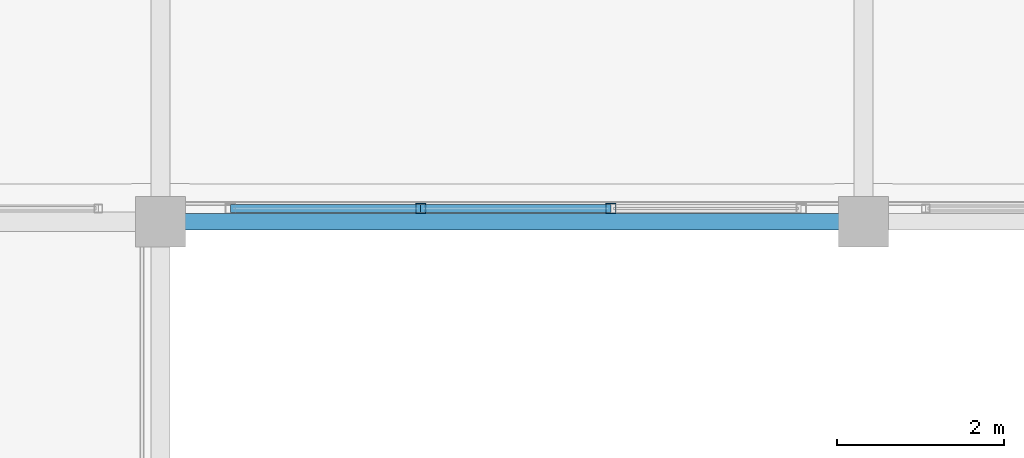
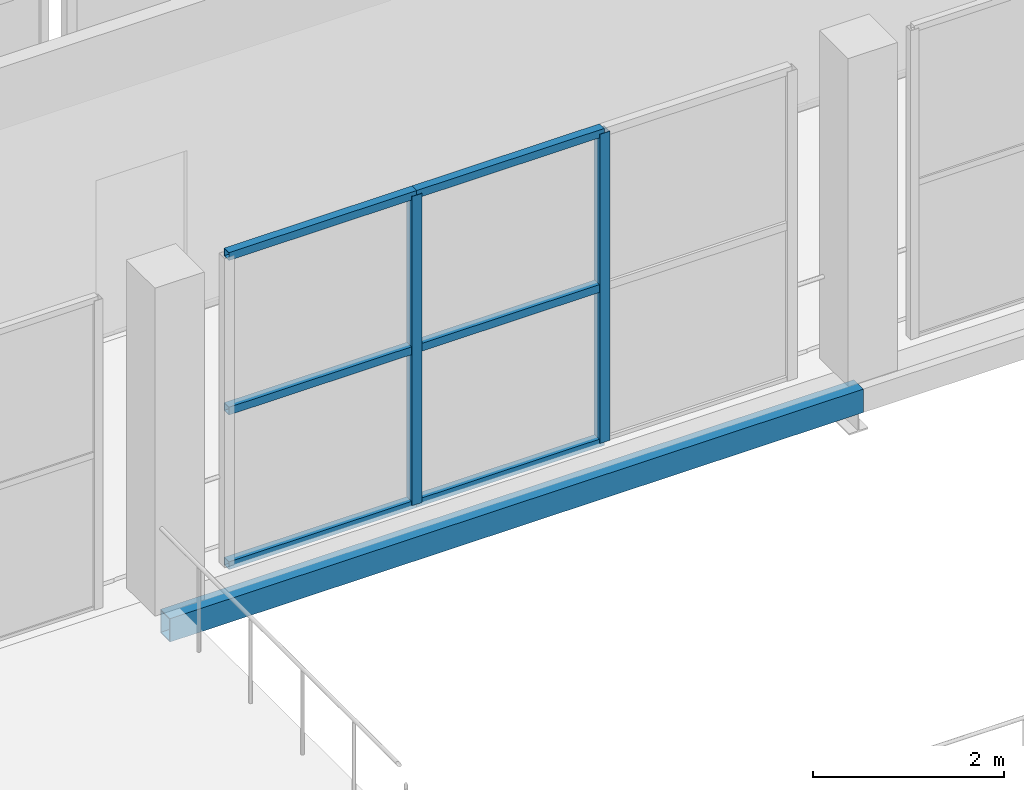
# One storey, part 32 of 151: 8 members, 1 beam, 1 element without a shape of its own.
"""IFC4 building model written with IfcOpenShell, lengths in metres."""

from ifc_helpers import new_model, si_unit, direction, frame, origin, origin_2d, place, context, subcontext, project, spatial, hollow_rectangle, extrude, material, material_profile, profile_set, type_object, element, aggregate, save


model = new_model("IFC4")

# Units and contexts
model_context = context("Model", 3, precision=1e-05, world=origin(), true_north=direction((0.0, 1.0)))
body_context = subcontext(model_context, "Body", "Model", "MODEL_VIEW")
ifc_project = project(units=[si_unit("LENGTHUNIT", "METRE"), si_unit("AREAUNIT", "SQUARE_METRE"), si_unit("VOLUMEUNIT", "CUBIC_METRE"), si_unit("PLANEANGLEUNIT", "RADIAN"), si_unit("MASSUNIT", "GRAM", prefix="KILO")], contexts=[model_context])

# Site, building, storey
site_placement = place(None, origin())
site = spatial("IfcSite", under=ifc_project, at=site_placement, CompositionType="ELEMENT")
building_placement = place(site_placement, origin())
building = spatial("IfcBuilding", under=site, at=building_placement, Name="Zuvorla Pavilion Media Centre", CompositionType="ELEMENT")
storey_placement = place(building_placement, frame((0.0, 0.0, 13.800048828125)))
storey = spatial("IfcBuildingStorey", under=building, at=storey_placement, Name="L03", CompositionType="ELEMENT", Elevation=13.800048828125)

# Beam
ifc_material_1 = material(Name="Steel S355", Category="steel")
ifc_material_profile_1 = material_profile(ifc_material_1, hollow_rectangle(XDim=0.199951171875, YDim=0.300048828125, WallThickness=0.012451171875, at=origin_2d()), Name="RHS 300x200x12.5")
ifc_profile_set_1 = profile_set([ifc_material_profile_1], Name="Steel S355")
beam_type = type_object("IfcBeamType", Name="BM-SP-RHS300", PredefinedType="SPANDREL", material=ifc_profile_set_1)
beam_placement = place(storey_placement, frame((66.800048828125, 44.0, -0.407958984375), z_axis=(1.0, 0.0, 0.0), x_axis=(0.0, 1.0, 0.0)))
element("IfcBeam", 1, at=beam_placement, inside=storey, type_object=beam_type, Name="L03 spandrel SP01 1080", PredefinedType="SPANDREL", context=body_context, shape_type="SweptSolid", body=[
    extrude(hollow_rectangle(XDim=0.199951171875, YDim=0.300048828125, WallThickness=0.012451171875, at=origin_2d()), origin(), (0.0, 0.0, 1.0), 8.39990234375),
])

# Curtain wall, members
ifc_material_2 = material(Name="Unitised anodised aluminium and solar glass curtain wall", Category="aluminium")
curtain_wall_type = type_object("IfcCurtainWallType", Name="CW-SYS-69", PredefinedType="USERDEFINED", material=ifc_material_2)
curtain_wall_placement = place(storey_placement, origin())
curtain_wall = element("IfcCurtainWall", 2, at=curtain_wall_placement, inside=storey, type_object=curtain_wall_type, Name="L03 curtain wall CW69 137", ObjectType="CURTAIN WALL", PredefinedType="USERDEFINED")
ifc_material_3 = material(Name="Anodised aluminium 6063-T6", Category="aluminium")
ifc_material_profile_2 = material_profile(ifc_material_3, hollow_rectangle(XDim=0.1201171875, YDim=0.1201171875, WallThickness=0.0048828125, at=origin_2d()), Name="ALU MULL 120x120")
ifc_profile_set_2 = profile_set([ifc_material_profile_2], Name="Anodised aluminium 6063-T6")
member_type_1 = type_object("IfcMemberType", Name="CW-MULL-120", PredefinedType="MULLION", material=ifc_profile_set_2)
member_1_placement = place(storey_placement, frame((69.908447265625, 44.159912109375, 0.0), z_axis=(0.0, 0.0, 1.0), x_axis=(1.0, 0.0, 0.0)))
member_1 = element("IfcMember", 3, at=member_1_placement, type_object=member_type_1, Name="CW69 mullion 2", PredefinedType="MULLION", context=body_context, shape_type="SweptSolid", body=[
    extrude(hollow_rectangle(XDim=0.1201171875, YDim=0.1201171875, WallThickness=0.0048828125, at=origin_2d()), origin(), (0.0, 0.0, 1.0), 3.9599609375),
])
member_2_placement = place(storey_placement, frame((72.18212890625, 44.159912109375, 0.0), z_axis=(0.0, 0.0, 1.0), x_axis=(1.0, 0.0, 0.0)))
member_2 = element("IfcMember", 4, at=member_2_placement, type_object=member_type_1, Name="CW69 mullion 3", PredefinedType="MULLION", context=body_context, shape_type="SweptSolid", body=[
    extrude(hollow_rectangle(XDim=0.1201171875, YDim=0.1201171875, WallThickness=0.0048828125, at=origin_2d()), origin(), (0.0, 0.0, 1.0), 3.9599609375),
])
ifc_material_profile_3 = material_profile(ifc_material_3, hollow_rectangle(XDim=0.10009765625, YDim=0.10009765625, WallThickness=0.00439453125, at=origin_2d()), Name="ALU TRAN 100x100")
ifc_profile_set_3 = profile_set([ifc_material_profile_3], Name="Anodised aluminium 6063-T6")
member_type_2 = type_object("IfcMemberType", Name="CW-TRAN-100", PredefinedType="USERDEFINED", material=ifc_profile_set_3)
member_3_placement = place(storey_placement, frame((67.635009765625, 44.159912109375, 0.0), z_axis=(1.0, 0.0, 0.0), x_axis=(0.0, 1.0, 0.0)))
member_3 = element("IfcMember", 5, at=member_3_placement, type_object=member_type_2, Name="CW69 transom 1.1", ObjectType="TRANSOM", PredefinedType="USERDEFINED", context=body_context, shape_type="SweptSolid", body=[
    extrude(hollow_rectangle(XDim=0.10009765625, YDim=0.10009765625, WallThickness=0.00439453125, at=origin_2d()), origin(), (0.0, 0.0, 1.0), 2.2734375),
])
member_4_placement = place(storey_placement, frame((67.635009765625, 44.159912109375, 1.97998046875), z_axis=(1.0, 0.0, 0.0), x_axis=(0.0, 1.0, 0.0)))
member_4 = element("IfcMember", 6, at=member_4_placement, type_object=member_type_2, Name="CW69 transom 1.2", ObjectType="TRANSOM", PredefinedType="USERDEFINED", context=body_context, shape_type="SweptSolid", body=[
    extrude(hollow_rectangle(XDim=0.10009765625, YDim=0.10009765625, WallThickness=0.00439453125, at=origin_2d()), origin(), (0.0, 0.0, 1.0), 2.2734375),
])
member_5_placement = place(storey_placement, frame((67.635009765625, 44.159912109375, 3.9599609375), z_axis=(1.0, 0.0, 0.0), x_axis=(0.0, 1.0, 0.0)))
member_5 = element("IfcMember", 7, at=member_5_placement, type_object=member_type_2, Name="CW69 transom 1.3", ObjectType="TRANSOM", PredefinedType="USERDEFINED", context=body_context, shape_type="SweptSolid", body=[
    extrude(hollow_rectangle(XDim=0.10009765625, YDim=0.10009765625, WallThickness=0.00439453125, at=origin_2d()), origin(), (0.0, 0.0, 1.0), 2.2734375),
])
member_6_placement = place(storey_placement, frame((69.908447265625, 44.159912109375, 0.0), z_axis=(1.0, 0.0, 0.0), x_axis=(0.0, 1.0, 0.0)))
member_6 = element("IfcMember", 8, at=member_6_placement, type_object=member_type_2, Name="CW69 transom 2.1", ObjectType="TRANSOM", PredefinedType="USERDEFINED", context=body_context, shape_type="SweptSolid", body=[
    extrude(hollow_rectangle(XDim=0.10009765625, YDim=0.10009765625, WallThickness=0.00439453125, at=origin_2d()), origin(), (0.0, 0.0, 1.0), 2.273681640625),
])
member_7_placement = place(storey_placement, frame((69.908447265625, 44.159912109375, 1.97998046875), z_axis=(1.0, 0.0, 0.0), x_axis=(0.0, 1.0, 0.0)))
member_7 = element("IfcMember", 9, at=member_7_placement, type_object=member_type_2, Name="CW69 transom 2.2", ObjectType="TRANSOM", PredefinedType="USERDEFINED", context=body_context, shape_type="SweptSolid", body=[
    extrude(hollow_rectangle(XDim=0.10009765625, YDim=0.10009765625, WallThickness=0.00439453125, at=origin_2d()), origin(), (0.0, 0.0, 1.0), 2.273681640625),
])
member_8_placement = place(storey_placement, frame((69.908447265625, 44.159912109375, 3.9599609375), z_axis=(1.0, 0.0, 0.0), x_axis=(0.0, 1.0, 0.0)))
member_8 = element("IfcMember", 10, at=member_8_placement, type_object=member_type_2, Name="CW69 transom 2.3", ObjectType="TRANSOM", PredefinedType="USERDEFINED", context=body_context, shape_type="SweptSolid", body=[
    extrude(hollow_rectangle(XDim=0.10009765625, YDim=0.10009765625, WallThickness=0.00439453125, at=origin_2d()), origin(), (0.0, 0.0, 1.0), 2.273681640625),
])
aggregate(curtain_wall, [member_1, member_2, member_3, member_4, member_5, member_6, member_7, member_8])

save(model, "model.ifc")
